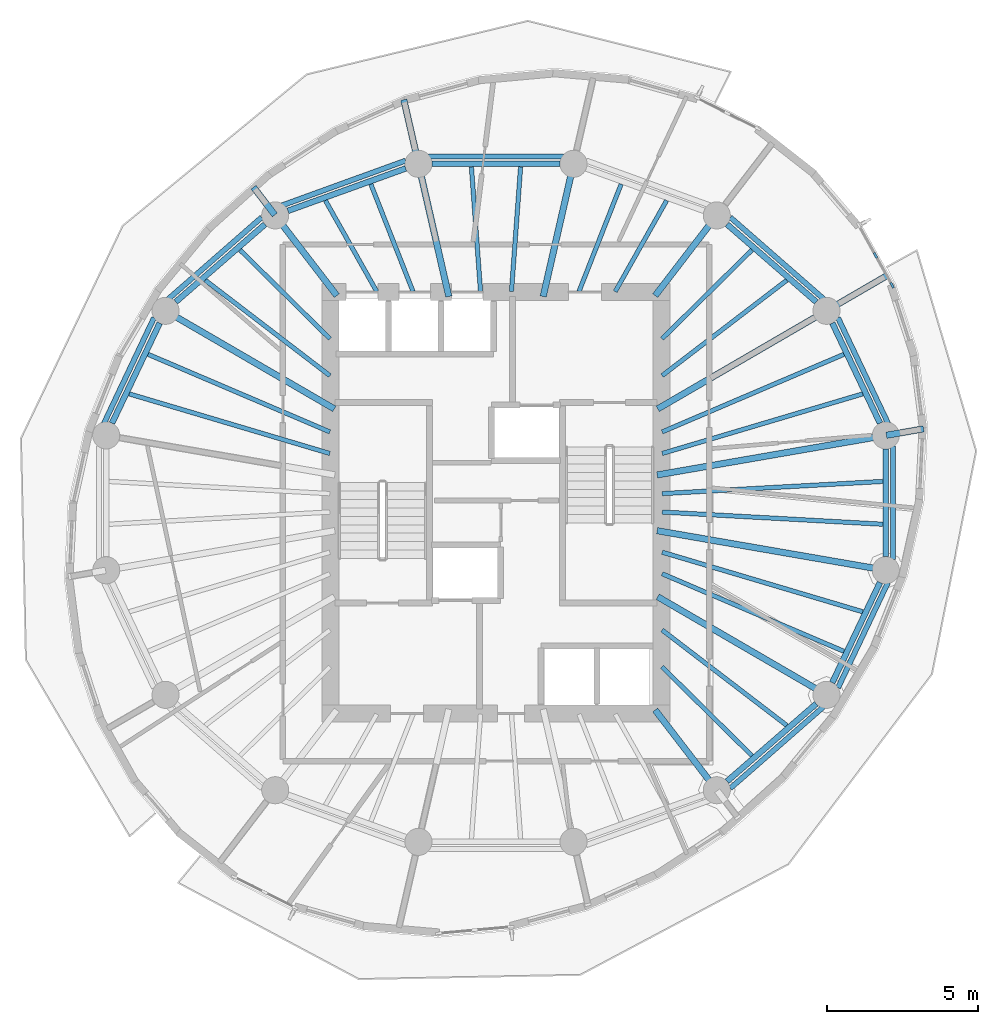
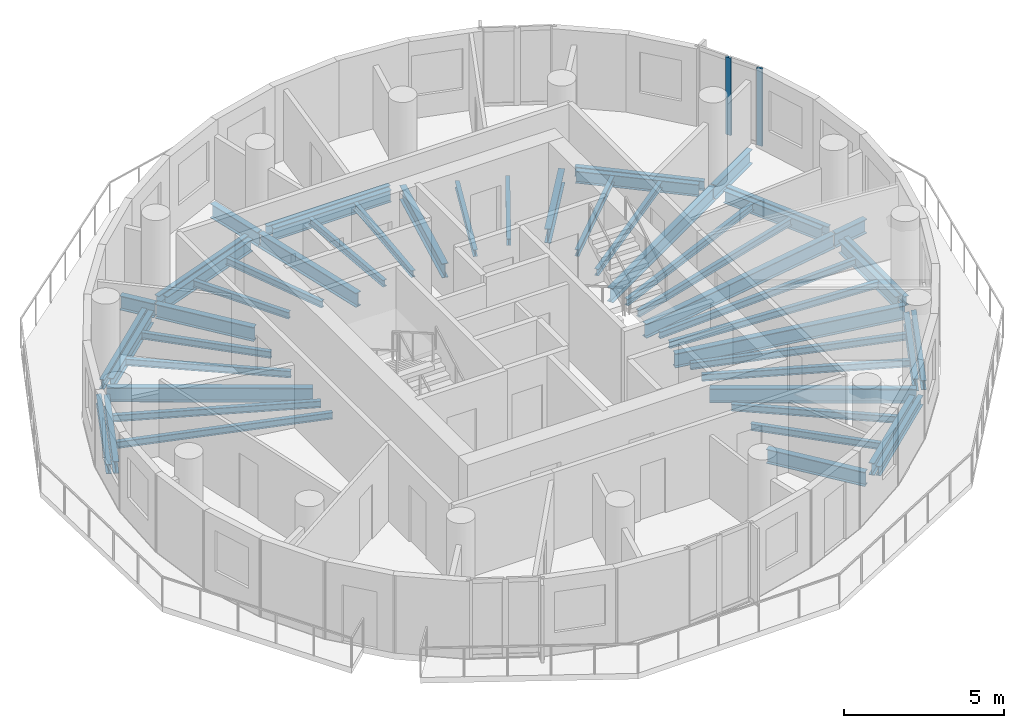
# One storey, part 2 of 10: 52 beams, 2 members, 1 element without a shape of its own.
"""IFC4 building model written with IfcOpenShell, lengths in metres."""

import ifcopenshell
import ifcopenshell.guid

model = None  # the IFC model being written
_history = None  # IfcOwnerHistory: only IFC2X3 demands one
_inside = {}  # id of a spatial element -> (the spatial element, [elements in it])
_under = {}  # id of a project, library or spatial element -> (it, [spatial elements below it])
_declared = {}  # id of a project -> (the project, [libraries it declares])
_typed = {}  # id of a type object -> (the type object, [elements of that type])
_made_of = {}  # id of a material, layer set ... -> (it, [elements and type objects made of it])


def new_model(schema):
    """Start an empty IFC model of exactly this schema.

    Asked for "IFC4X3", IfcOpenShell would pick the latest addendum, in which some entities
    have other attributes; the version numbers below select the first issue.
    IFC2X3 requires an IfcOwnerHistory on every rooted entity: one is made here for all.
    """
    global model, _history
    if schema == "IFC4X3":
        model = ifcopenshell.file(schema_version=(4, 3, 0, 0))
    else:
        model = ifcopenshell.file(schema=schema)
    _inside.clear()
    _under.clear()
    _declared.clear()
    _typed.clear()
    _made_of.clear()
    _history = None
    if model.schema == "IFC2X3":
        org = make("IfcOrganization", Name="unknown")
        user = make(
            "IfcPersonAndOrganization",
            ThePerson=make("IfcPerson", FamilyName="unknown"),
            TheOrganization=org,
        )
        app = make(
            "IfcApplication",
            ApplicationDeveloper=org,
            Version="unknown",
            ApplicationFullName="unknown",
            ApplicationIdentifier="unknown",
        )
        _history = make(
            "IfcOwnerHistory",
            OwningUser=user,
            OwningApplication=app,
            ChangeAction="ADDED",
            CreationDate=0,
        )
    return model


def make(cls, **values):
    """One entity of the class cls with the attributes given. An attribute that is None is left unset."""
    return model.create_entity(
        cls, **{name: value for name, value in values.items() if value is not None}
    )


def rooted(cls, **values):
    """An entity with a GlobalId (a new one), such as an element, a storey or a relation."""
    return make(cls, GlobalId=ifcopenshell.guid.new(), OwnerHistory=_history, **values)


def si_unit(unit_type, name, prefix=None):
    """IfcSIUnit, for example si_unit("LENGTHUNIT", "METRE", prefix="MILLI")."""
    return make("IfcSIUnit", UnitType=unit_type, Prefix=prefix, Name=name)


def assignment(units):
    """IfcUnitAssignment: the units of a project."""
    return None if units is None else make("IfcUnitAssignment", Units=units)


def point(xyz):
    """IfcCartesianPoint."""
    return None if xyz is None else make("IfcCartesianPoint", Coordinates=xyz)


def direction(xyz):
    """IfcDirection."""
    return None if xyz is None else make("IfcDirection", DirectionRatios=xyz)


def frame(location, z_axis=None, x_axis=None):
    """IfcAxis2Placement3D, a coordinate frame: its origin and axes. An axis left out is left unset."""
    return make(
        "IfcAxis2Placement3D",
        Location=point(location),
        Axis=direction(z_axis),
        RefDirection=direction(x_axis),
    )


def frame_2d(location, x_axis=None):
    """IfcAxis2Placement2D, a coordinate frame in the plane: its origin and x axis."""
    return make(
        "IfcAxis2Placement2D", Location=point(location), RefDirection=direction(x_axis)
    )


def origin():
    """The frame at (0, 0, 0) with its axes left unset."""
    return frame((0.0, 0.0, 0.0))


def origin_2d():
    """The frame at (0, 0) in the plane with its x axis left unset."""
    return frame_2d((0.0, 0.0))


def place(relative_to, where):
    """IfcLocalPlacement: puts the frame where relative to a parent placement (None: the world)."""
    return make(
        "IfcLocalPlacement", PlacementRelTo=relative_to, RelativePlacement=where
    )


def context(
    kind, dimensions, precision=None, world=None, true_north=None, identifier=None
):
    """IfcGeometricRepresentationContext, for example the 3D "Model" context."""
    return make(
        "IfcGeometricRepresentationContext",
        ContextIdentifier=identifier,
        ContextType=kind,
        CoordinateSpaceDimension=dimensions,
        Precision=precision,
        WorldCoordinateSystem=world,
        TrueNorth=true_north,
    )


def subcontext(parent, identifier, kind, view, scale=None):
    """IfcGeometricRepresentationSubContext, for example "Body" below "Model"."""
    return make(
        "IfcGeometricRepresentationSubContext",
        ContextIdentifier=identifier,
        ContextType=kind,
        ParentContext=parent,
        TargetScale=scale,
        TargetView=view,
    )


def project(units=None, contexts=None):
    """IfcProject with its units and contexts."""
    return rooted(
        "IfcProject",
        Name="project",
        RepresentationContexts=contexts,
        UnitsInContext=assignment(units),
    )


def spatial(cls, under=None, at=None, **own):
    """A site, building, storey or space (cls), placed at a placement, below another one or the project."""
    s = rooted(cls, ObjectPlacement=at, **own)
    if under is not None:
        _under.setdefault(under.id(), (under, []))[1].append(s)
    return s


def profile(cls, at=None, kind="AREA", **sizes):
    """A parametric profile (cls). Its sizes go by their IFC names, for example OverallWidth=200.0."""
    return make(cls, ProfileType=kind, Position=at, **sizes)


def rectangle(**sizes):
    """IfcRectangleProfileDef."""
    return profile("IfcRectangleProfileDef", **sizes)


def i_section(**sizes):
    """IfcIShapeProfileDef."""
    return profile("IfcIShapeProfileDef", **sizes)


def extrude(swept, where, along, depth):
    """IfcExtrudedAreaSolid: the profile swept, set in the frame where, extruded along a direction by depth."""
    return make(
        "IfcExtrudedAreaSolid",
        SweptArea=swept,
        Position=where,
        ExtrudedDirection=direction(along),
        Depth=depth,
    )


def shape(context_of_items, identifier, shape_type, items):
    """IfcShapeRepresentation: the items that make up one representation, for example the "Body"."""
    return make(
        "IfcShapeRepresentation",
        ContextOfItems=context_of_items,
        RepresentationIdentifier=identifier,
        RepresentationType=shape_type,
        Items=items,
    )


def material(Name=None, Category=None):
    """IfcMaterial."""
    return make("IfcMaterial", Name=Name, Category=Category)


def material_profile(
    of_material, cross_section, Name=None, Category=None, Priority=None
):
    """IfcMaterialProfile: a cross section and its material."""
    return make(
        "IfcMaterialProfile",
        Name=Name,
        Material=of_material,
        Profile=cross_section,
        Priority=Priority,
        Category=Category,
    )


def profile_set(profiles, Name=None, composite=None):
    """IfcMaterialProfileSet."""
    return make(
        "IfcMaterialProfileSet",
        Name=Name,
        MaterialProfiles=profiles,
        CompositeProfile=composite,
    )


def made_of(thing, what):
    """Note that an element or type object is made of a material, layer set ...; save() writes the relation."""
    if what is not None:
        _made_of.setdefault(what.id(), (what, []))[1].append(thing)
    return thing


def type_object(cls, material=None, **own):
    """A type object (cls), such as IfcWallType, which elements share."""
    return made_of(rooted(cls, **own), material)


def element(
    cls,
    number,
    at=None,
    inside=None,
    cuts=None,
    type_object=None,
    material=None,
    context=None,
    identifier="Body",
    shape_type=None,
    held_by="IfcProductDefinitionShape",
    body=None,
    shapes=None,
    **own,
):
    """One element of the class cls, such as IfcWall. Its Tag is "e" and its number.

    at: its placement. inside: the storey or other place that contains it. cuts: it is an
    opening in that element (IfcRelVoidsElement). A single representation is given by context,
    identifier, shape_type and body (its items); several are given by shapes. held_by: the class
    of the entity that holds the representations. save() writes the other relations.
    """
    e = rooted(cls, Tag="e%d" % number, ObjectPlacement=at, **own)
    if body is not None:
        shapes = [shape(context, identifier, shape_type, body)]
    if shapes is not None:
        e.Representation = make(held_by, Representations=shapes)
    if inside is not None:
        _inside.setdefault(inside.id(), (inside, []))[1].append(e)
    if cuts is not None:
        rooted(
            "IfcRelVoidsElement", RelatingBuildingElement=cuts, RelatedOpeningElement=e
        )
    if type_object is not None:
        _typed.setdefault(type_object.id(), (type_object, []))[1].append(e)
    return made_of(e, material)


def aggregate(whole, parts):
    """IfcRelAggregates: a whole, such as a stair, and the parts it consists of."""
    return rooted("IfcRelAggregates", RelatingObject=whole, RelatedObjects=parts)


def save(model, path):
    """Write the relations noted so far, then the file.

    IfcRelAggregates (storeys below a building ...), IfcRelContainedInSpatialStructure (elements
    in a storey), IfcRelDefinesByType, IfcRelAssociatesMaterial and IfcRelDeclares: one each for
    every whole, place, type object, material and project.
    """
    for whole, parts in _under.values():
        aggregate(whole, parts)
    for where, things in _inside.values():
        rooted(
            "IfcRelContainedInSpatialStructure",
            RelatedElements=things,
            RelatingStructure=where,
        )
    for kind, things in _typed.values():
        rooted("IfcRelDefinesByType", RelatedObjects=things, RelatingType=kind)
    for what, things in _made_of.values():
        rooted("IfcRelAssociatesMaterial", RelatedObjects=things, RelatingMaterial=what)
    for by, libraries in _declared.values():
        rooted("IfcRelDeclares", RelatingContext=by, RelatedDefinitions=libraries)
    model.write(path)


model = new_model("IFC4")

# Units and contexts
model_context = context("Model", 3, precision=1e-05, world=origin(), true_north=direction((0.0, 1.0)))
body_context = subcontext(model_context, "Body", "Model", "MODEL_VIEW")
ifc_project = project(units=[si_unit("LENGTHUNIT", "METRE"), si_unit("AREAUNIT", "SQUARE_METRE"), si_unit("VOLUMEUNIT", "CUBIC_METRE"), si_unit("PLANEANGLEUNIT", "RADIAN"), si_unit("MASSUNIT", "GRAM", prefix="KILO")], contexts=[model_context])

# Site, building, storey
site_placement = place(None, origin())
site = spatial("IfcSite", under=ifc_project, at=site_placement, CompositionType="ELEMENT")
building_placement = place(site_placement, origin())
building = spatial("IfcBuilding", under=site, at=building_placement, Name="Veldorim Arch Residences", CompositionType="ELEMENT")
storey_placement = place(building_placement, frame((0.0, 0.0, 188.639892578125)))
storey = spatial("IfcBuildingStorey", under=building, at=storey_placement, Name="L56", CompositionType="ELEMENT", Elevation=188.639892578125)

# Beams
ifc_material_1 = material(Name="Steel S355", Category="steel")
ifc_material_profile_1 = material_profile(ifc_material_1, i_section(OverallWidth=0.2119140625, OverallDepth=0.54443359375, WebThickness=0.0126953125, FlangeThickness=0.021240234375, at=origin_2d()), Name="UB533x210x122")
ifc_profile_set_1 = profile_set([ifc_material_profile_1], Name="Steel S355")
beam_type_1 = type_object("IfcBeamType", Name="Structural Steel Beam UB533x210x122", PredefinedType="BEAM", material=ifc_profile_set_1)
beam_1_placement = place(storey_placement, frame((37.352294921875, 24.92578125, -0.51220703125), z_axis=(0.985364974081, 0.170457818401, 0.0), x_axis=(-0.170457818401, 0.985364974081, 0.0)))
element("IfcBeam", 1, at=beam_1_placement, inside=storey, type_object=beam_type_1, Name="L56 radial floor girder 01", PredefinedType="BEAM", context=body_context, shape_type="SweptSolid", body=[
    extrude(i_section(OverallWidth=0.2119140625, OverallDepth=0.54443359375, WebThickness=0.0126953125, FlangeThickness=0.021240234375, at=origin_2d()), origin(), (0.0, 0.0, 1.0), 7.68701171875),
])
beam_2_placement = place(storey_placement, frame((44.966064453125, 26.242919921875, -0.51220703125), z_axis=(0.985353024945, 0.170526878328, 0.0), x_axis=(-0.170526878328, 0.985353024945, 0.0)))
element("IfcBeam", 2, at=beam_2_placement, inside=storey, type_object=beam_type_1, Name="L56 radial edge cantilever girder 01", PredefinedType="BEAM", context=body_context, shape_type="SweptSolid", body=[
    extrude(i_section(OverallWidth=0.2119140625, OverallDepth=0.54443359375, WebThickness=0.0126953125, FlangeThickness=0.021240234375, at=origin_2d()), origin(), (0.0, 0.0, 1.0), 1.252685546875),
])
beam_3_placement = place(storey_placement, frame((37.370361328125, 27.12060546875, -0.51220703125), z_axis=(0.864595736304, 0.502468121142, 0.0), x_axis=(-0.502468121142, 0.864595736304, 0.0)))
element("IfcBeam", 3, at=beam_3_placement, inside=storey, type_object=beam_type_1, Name="L56 radial floor girder 02", PredefinedType="BEAM", context=body_context, shape_type="SweptSolid", body=[
    extrude(i_section(OverallWidth=0.2119140625, OverallDepth=0.54443359375, WebThickness=0.0126953125, FlangeThickness=0.021240234375, at=origin_2d()), origin(), (0.0, 0.0, 1.0), 6.462646484375),
])
beam_4_placement = place(storey_placement, frame((42.99267578125, 30.387939453125, -0.51220703125), z_axis=(0.864602055373, 0.502457247779, 0.0), x_axis=(-0.502457247779, 0.864602055373, 0.0)))
element("IfcBeam", 4, at=beam_4_placement, inside=storey, type_object=beam_type_1, Name="L56 radial edge cantilever girder 02", PredefinedType="BEAM", context=body_context, shape_type="SweptSolid", body=[
    extrude(i_section(OverallWidth=0.2119140625, OverallDepth=0.54443359375, WebThickness=0.0126953125, FlangeThickness=0.021240234375, at=origin_2d()), origin(), (0.0, 0.0, 1.0), 2.2880859375),
])
beam_5_placement = place(storey_placement, frame((37.28662109375, 30.881103515625, -0.51220703125), z_axis=(0.609258442308, 0.792971721108, 0.0), x_axis=(-0.792971721108, 0.609258442308, 0.0)))
element("IfcBeam", 5, at=beam_5_placement, inside=storey, type_object=beam_type_1, Name="L56 radial floor girder 03", PredefinedType="BEAM", context=body_context, shape_type="SweptSolid", body=[
    extrude(i_section(OverallWidth=0.2119140625, OverallDepth=0.54443359375, WebThickness=0.0126953125, FlangeThickness=0.021240234375, at=origin_2d()), origin(), (0.0, 0.0, 1.0), 3.339599609375),
])
for number, where, z_axis, x_axis, name in (
    (6, (33.567626953125, 30.853759765625, -0.51220703125), (0.222952976993, 0.97482920045, 0.0), (-0.97482920045, 0.222952976993, 0.0), "L56 radial floor girder 04"),
    (7, (30.432373046875, 30.853759765625, -0.51220703125), (-0.222952976993, 0.97482920045, 0.0), (-0.97482920045, -0.222952976993, 0.0), "L56 radial floor girder 05"),
):
    element("IfcBeam", number, at=place(storey_placement, frame(where, z_axis=z_axis, x_axis=x_axis)), inside=storey, type_object=beam_type_1, Name=name, PredefinedType="BEAM", context=body_context, shape_type="SweptSolid", body=[
        extrude(i_section(OverallWidth=0.2119140625, OverallDepth=0.54443359375, WebThickness=0.0126953125, FlangeThickness=0.021240234375, at=origin_2d()), origin(), (0.0, 0.0, 1.0), 4.49951171875),
    ])
beam_6_placement = place(storey_placement, frame((29.42041015625, 35.27880859375, -0.51220703125), z_axis=(-0.222947343298, 0.974830488914, 0.0), x_axis=(-0.974830488914, -0.222947343298, 0.0)))
element("IfcBeam", 8, at=beam_6_placement, inside=storey, type_object=beam_type_1, Name="L56 radial edge cantilever girder 05", PredefinedType="BEAM", context=body_context, shape_type="SweptSolid", body=[
    extrude(i_section(OverallWidth=0.2119140625, OverallDepth=0.54443359375, WebThickness=0.0126953125, FlangeThickness=0.021240234375, at=origin_2d()), origin(), (0.0, 0.0, 1.0), 2.163818359375),
])
beam_7_placement = place(storey_placement, frame((26.71337890625, 30.881103515625, -0.51220703125), z_axis=(-0.609258442308, 0.792971721108, 0.0), x_axis=(-0.792971721108, -0.609258442308, 0.0)))
element("IfcBeam", 9, at=beam_7_placement, inside=storey, type_object=beam_type_1, Name="L56 radial floor girder 06", PredefinedType="BEAM", context=body_context, shape_type="SweptSolid", body=[
    extrude(i_section(OverallWidth=0.2119140625, OverallDepth=0.54443359375, WebThickness=0.0126953125, FlangeThickness=0.021240234375, at=origin_2d()), origin(), (0.0, 0.0, 1.0), 3.339599609375),
])
beam_8_placement = place(storey_placement, frame((24.654296875, 33.561279296875, -0.51220703125), z_axis=(-0.609203031705, 0.793014291272, 0.0), x_axis=(-0.793014291272, -0.609203031705, 0.0)))
element("IfcBeam", 10, at=beam_8_placement, inside=storey, type_object=beam_type_1, Name="L56 radial edge cantilever girder 06", PredefinedType="BEAM", context=body_context, shape_type="SweptSolid", body=[
    extrude(i_section(OverallWidth=0.2119140625, OverallDepth=0.54443359375, WebThickness=0.0126953125, FlangeThickness=0.021240234375, at=origin_2d()), origin(), (0.0, 0.0, 1.0), 1.162109375),
])
beam_9_placement = place(storey_placement, frame((26.629638671875, 27.12060546875, -0.51220703125), z_axis=(-0.864595736304, 0.502468121142, 0.0), x_axis=(-0.502468121142, -0.864595736304, 0.0)))
element("IfcBeam", 11, at=beam_9_placement, inside=storey, type_object=beam_type_1, Name="L56 radial floor girder 07", PredefinedType="BEAM", context=body_context, shape_type="SweptSolid", body=[
    extrude(i_section(OverallWidth=0.2119140625, OverallDepth=0.54443359375, WebThickness=0.0126953125, FlangeThickness=0.021240234375, at=origin_2d()), origin(), (0.0, 0.0, 1.0), 6.462646484375),
])
beam_10_placement = place(storey_placement, frame((37.28662109375, 17.118896484375, -0.51220703125), z_axis=(0.609258442308, -0.792971721108, 0.0), x_axis=(0.792971721108, 0.609258442308, 0.0)))
element("IfcBeam", 12, at=beam_10_placement, inside=storey, type_object=beam_type_1, Name="L56 radial floor girder 14", PredefinedType="BEAM", context=body_context, shape_type="SweptSolid", body=[
    extrude(i_section(OverallWidth=0.2119140625, OverallDepth=0.54443359375, WebThickness=0.0126953125, FlangeThickness=0.021240234375, at=origin_2d()), origin(), (0.0, 0.0, 1.0), 3.339599609375),
])
beam_11_placement = place(storey_placement, frame((37.370361328125, 20.87939453125, -0.51220703125), z_axis=(0.864595736304, -0.502468121142, 0.0), x_axis=(0.502468121142, 0.864595736304, 0.0)))
element("IfcBeam", 13, at=beam_11_placement, inside=storey, type_object=beam_type_1, Name="L56 radial floor girder 15", PredefinedType="BEAM", context=body_context, shape_type="SweptSolid", body=[
    extrude(i_section(OverallWidth=0.2119140625, OverallDepth=0.54443359375, WebThickness=0.0126953125, FlangeThickness=0.021240234375, at=origin_2d()), origin(), (0.0, 0.0, 1.0), 6.462646484375),
])
beam_12_placement = place(storey_placement, frame((37.352294921875, 23.07421875, -0.51220703125), z_axis=(0.985364974081, -0.170457818401, 0.0), x_axis=(0.170457818401, 0.985364974081, 0.0)))
element("IfcBeam", 14, at=beam_12_placement, inside=storey, type_object=beam_type_1, Name="L56 radial floor girder 16", PredefinedType="BEAM", context=body_context, shape_type="SweptSolid", body=[
    extrude(i_section(OverallWidth=0.2119140625, OverallDepth=0.54443359375, WebThickness=0.0126953125, FlangeThickness=0.021240234375, at=origin_2d()), origin(), (0.0, 0.0, 1.0), 7.68701171875),
])
ifc_material_2 = material(Name="Steel S355", Category="steel")
ifc_material_profile_2 = material_profile(ifc_material_2, i_section(OverallWidth=0.146484375, OverallDepth=0.256103515625, WebThickness=0.00634765625, FlangeThickness=0.010986328125, at=origin_2d()), Name="UB254x146x37")
ifc_profile_set_2 = profile_set([ifc_material_profile_2], Name="Steel S355")
beam_type_2 = type_object("IfcBeamType", Name="Structural Steel Joist UB254x146x37", PredefinedType="JOIST", material=ifc_profile_set_2)
beam_13_placement = place(storey_placement, frame((37.519287109375, 25.639404296875, -0.367919921875), z_axis=(0.958594432792, 0.284774846889, 0.0), x_axis=(-0.284774846889, 0.958594432792, 0.0)))
element("IfcBeam", 15, at=beam_13_placement, inside=storey, type_object=beam_type_2, Name="L56 secondary radial floor joist 01-1", PredefinedType="JOIST", context=body_context, shape_type="SweptSolid", body=[
    extrude(i_section(OverallWidth=0.146484375, OverallDepth=0.256103515625, WebThickness=0.00634765625, FlangeThickness=0.010986328125, at=origin_2d()), origin(), (0.0, 0.0, 1.0), 6.949462890625),
])
beam_14_placement = place(storey_placement, frame((37.518310546875, 26.355712890625, -0.367919921875), z_axis=(0.919725161652, 0.392562895629, 0.0), x_axis=(-0.392562895629, 0.919725161652, 0.0)))
element("IfcBeam", 16, at=beam_14_placement, inside=storey, type_object=beam_type_2, Name="L56 secondary radial floor joist 01-2", PredefinedType="JOIST", context=body_context, shape_type="SweptSolid", body=[
    extrude(i_section(OverallWidth=0.146484375, OverallDepth=0.256103515625, WebThickness=0.00634765625, FlangeThickness=0.010986328125, at=origin_2d()), origin(), (0.0, 0.0, 1.0), 6.5625),
])
beam_15_placement = place(storey_placement, frame((37.515869140625, 28.222900390625, -0.367919921875), z_axis=(0.794013672216, 0.607899899929, 0.0), x_axis=(-0.607899899929, 0.794013672216, 0.0)))
element("IfcBeam", 17, at=beam_15_placement, inside=storey, type_object=beam_type_2, Name="L56 secondary radial floor joist 02-1", PredefinedType="JOIST", context=body_context, shape_type="SweptSolid", body=[
    extrude(i_section(OverallWidth=0.146484375, OverallDepth=0.256103515625, WebThickness=0.00634765625, FlangeThickness=0.010986328125, at=origin_2d()), origin(), (0.0, 0.0, 1.0), 5.217041015625),
])
beam_16_placement = place(storey_placement, frame((37.51416015625, 29.44775390625, -0.367919921875), z_axis=(0.711396725432, 0.702790650937, 0.0), x_axis=(-0.702790650937, 0.711396725432, 0.0)))
element("IfcBeam", 18, at=beam_16_placement, inside=storey, type_object=beam_type_2, Name="L56 secondary radial floor joist 02-2", PredefinedType="JOIST", context=body_context, shape_type="SweptSolid", body=[
    extrude(i_section(OverallWidth=0.146484375, OverallDepth=0.256103515625, WebThickness=0.00634765625, FlangeThickness=0.010986328125, at=origin_2d()), origin(), (0.0, 0.0, 1.0), 4.198486328125),
])
beam_17_placement = place(storey_placement, frame((35.960205078125, 31.017333984375, -0.367919921875), z_axis=(0.491452469585, 0.870904397818, 0.0), x_axis=(-0.870904397818, 0.491452469585, 0.0)))
element("IfcBeam", 19, at=beam_17_placement, inside=storey, type_object=beam_type_2, Name="L56 secondary radial floor joist 03-1", PredefinedType="JOIST", context=body_context, shape_type="SweptSolid", body=[
    extrude(i_section(OverallWidth=0.146484375, OverallDepth=0.256103515625, WebThickness=0.00634765625, FlangeThickness=0.010986328125, at=origin_2d()), origin(), (0.0, 0.0, 1.0), 3.472412109375),
])
beam_18_placement = place(storey_placement, frame((34.75634765625, 31.0185546875, -0.367919921875), z_axis=(0.365581383042, 0.930779379001, 0.0), x_axis=(-0.930779379001, 0.365581383042, 0.0)))
element("IfcBeam", 20, at=beam_18_placement, inside=storey, type_object=beam_type_2, Name="L56 secondary radial floor joist 03-2", PredefinedType="JOIST", context=body_context, shape_type="SweptSolid", body=[
    extrude(i_section(OverallWidth=0.146484375, OverallDepth=0.256103515625, WebThickness=0.00634765625, FlangeThickness=0.010986328125, at=origin_2d()), origin(), (0.0, 0.0, 1.0), 3.83056640625),
])
for number, where, z_axis, x_axis, name in (
    (21, (32.513916015625, 31.02001953125, -0.367919921875), (0.072985625899, 0.997332992742, 0.0), (-0.997332992742, 0.072985625899, 0.0), "L56 secondary radial floor joist 04-1"),
    (22, (31.486083984375, 31.02001953125, -0.367919921875), (-0.072985625899, 0.997332992742, 0.0), (-0.997332992742, -0.072985625899, 0.0), "L56 secondary radial floor joist 04-2"),
):
    element("IfcBeam", number, at=place(storey_placement, frame(where, z_axis=z_axis, x_axis=x_axis)), inside=storey, type_object=beam_type_2, Name=name, PredefinedType="JOIST", context=body_context, shape_type="SweptSolid", body=[
        extrude(i_section(OverallWidth=0.146484375, OverallDepth=0.256103515625, WebThickness=0.00634765625, FlangeThickness=0.010986328125, at=origin_2d()), origin(), (0.0, 0.0, 1.0), 4.151123046875),
    ])
beam_19_placement = place(storey_placement, frame((29.24365234375, 31.0185546875, -0.367919921875), z_axis=(-0.365581383042, 0.930779379001, 0.0), x_axis=(-0.930779379001, -0.365581383042, 0.0)))
element("IfcBeam", 23, at=beam_19_placement, inside=storey, type_object=beam_type_2, Name="L56 secondary radial floor joist 05-1", PredefinedType="JOIST", context=body_context, shape_type="SweptSolid", body=[
    extrude(i_section(OverallWidth=0.146484375, OverallDepth=0.256103515625, WebThickness=0.00634765625, FlangeThickness=0.010986328125, at=origin_2d()), origin(), (0.0, 0.0, 1.0), 3.83056640625),
])
beam_20_placement = place(storey_placement, frame((28.039794921875, 31.017333984375, -0.367919921875), z_axis=(-0.491452469585, 0.870904397818, 0.0), x_axis=(-0.870904397818, -0.491452469585, 0.0)))
element("IfcBeam", 24, at=beam_20_placement, inside=storey, type_object=beam_type_2, Name="L56 secondary radial floor joist 05-2", PredefinedType="JOIST", context=body_context, shape_type="SweptSolid", body=[
    extrude(i_section(OverallWidth=0.146484375, OverallDepth=0.256103515625, WebThickness=0.00634765625, FlangeThickness=0.010986328125, at=origin_2d()), origin(), (0.0, 0.0, 1.0), 3.472412109375),
])
beam_21_placement = place(storey_placement, frame((26.48583984375, 29.44775390625, -0.367919921875), z_axis=(-0.711396725432, 0.702790650937, 0.0), x_axis=(-0.702790650937, -0.711396725432, 0.0)))
element("IfcBeam", 25, at=beam_21_placement, inside=storey, type_object=beam_type_2, Name="L56 secondary radial floor joist 06-1", PredefinedType="JOIST", context=body_context, shape_type="SweptSolid", body=[
    extrude(i_section(OverallWidth=0.146484375, OverallDepth=0.256103515625, WebThickness=0.00634765625, FlangeThickness=0.010986328125, at=origin_2d()), origin(), (0.0, 0.0, 1.0), 4.198486328125),
])
beam_22_placement = place(storey_placement, frame((26.484130859375, 28.222900390625, -0.367919921875), z_axis=(-0.794013672216, 0.607899899929, 0.0), x_axis=(-0.607899899929, -0.794013672216, 0.0)))
element("IfcBeam", 26, at=beam_22_placement, inside=storey, type_object=beam_type_2, Name="L56 secondary radial floor joist 06-2", PredefinedType="JOIST", context=body_context, shape_type="SweptSolid", body=[
    extrude(i_section(OverallWidth=0.146484375, OverallDepth=0.256103515625, WebThickness=0.00634765625, FlangeThickness=0.010986328125, at=origin_2d()), origin(), (0.0, 0.0, 1.0), 5.217041015625),
])
beam_23_placement = place(storey_placement, frame((26.481689453125, 26.355712890625, -0.367919921875), z_axis=(-0.919725161652, 0.392562895629, 0.0), x_axis=(-0.392562895629, -0.919725161652, 0.0)))
element("IfcBeam", 27, at=beam_23_placement, inside=storey, type_object=beam_type_2, Name="L56 secondary radial floor joist 07-1", PredefinedType="JOIST", context=body_context, shape_type="SweptSolid", body=[
    extrude(i_section(OverallWidth=0.146484375, OverallDepth=0.256103515625, WebThickness=0.00634765625, FlangeThickness=0.010986328125, at=origin_2d()), origin(), (0.0, 0.0, 1.0), 6.5625),
])
beam_24_placement = place(storey_placement, frame((26.480712890625, 25.639404296875, -0.367919921875), z_axis=(-0.958594432792, 0.284774846889, 0.0), x_axis=(-0.284774846889, -0.958594432792, 0.0)))
element("IfcBeam", 28, at=beam_24_placement, inside=storey, type_object=beam_type_2, Name="L56 secondary radial floor joist 07-2", PredefinedType="JOIST", context=body_context, shape_type="SweptSolid", body=[
    extrude(i_section(OverallWidth=0.146484375, OverallDepth=0.256103515625, WebThickness=0.00634765625, FlangeThickness=0.010986328125, at=origin_2d()), origin(), (0.0, 0.0, 1.0), 6.949462890625),
])
beam_25_placement = place(storey_placement, frame((37.51416015625, 18.55224609375, -0.367919921875), z_axis=(0.711396725432, -0.702790650937, 0.0), x_axis=(0.702790650937, 0.711396725432, 0.0)))
element("IfcBeam", 29, at=beam_25_placement, inside=storey, type_object=beam_type_2, Name="L56 secondary radial floor joist 14-1", PredefinedType="JOIST", context=body_context, shape_type="SweptSolid", body=[
    extrude(i_section(OverallWidth=0.146484375, OverallDepth=0.256103515625, WebThickness=0.00634765625, FlangeThickness=0.010986328125, at=origin_2d()), origin(), (0.0, 0.0, 1.0), 4.198486328125),
])
beam_26_placement = place(storey_placement, frame((37.515869140625, 19.777099609375, -0.367919921875), z_axis=(0.794013672216, -0.607899899929, 0.0), x_axis=(0.607899899929, 0.794013672216, 0.0)))
element("IfcBeam", 30, at=beam_26_placement, inside=storey, type_object=beam_type_2, Name="L56 secondary radial floor joist 14-2", PredefinedType="JOIST", context=body_context, shape_type="SweptSolid", body=[
    extrude(i_section(OverallWidth=0.146484375, OverallDepth=0.256103515625, WebThickness=0.00634765625, FlangeThickness=0.010986328125, at=origin_2d()), origin(), (0.0, 0.0, 1.0), 5.217041015625),
])
beam_27_placement = place(storey_placement, frame((37.518310546875, 21.644287109375, -0.367919921875), z_axis=(0.919725161652, -0.392562895629, 0.0), x_axis=(0.392562895629, 0.919725161652, 0.0)))
element("IfcBeam", 31, at=beam_27_placement, inside=storey, type_object=beam_type_2, Name="L56 secondary radial floor joist 15-1", PredefinedType="JOIST", context=body_context, shape_type="SweptSolid", body=[
    extrude(i_section(OverallWidth=0.146484375, OverallDepth=0.256103515625, WebThickness=0.00634765625, FlangeThickness=0.010986328125, at=origin_2d()), origin(), (0.0, 0.0, 1.0), 6.5625),
])
beam_28_placement = place(storey_placement, frame((37.519287109375, 22.360595703125, -0.367919921875), z_axis=(0.958594432792, -0.284774846889, 0.0), x_axis=(0.284774846889, 0.958594432792, 0.0)))
element("IfcBeam", 32, at=beam_28_placement, inside=storey, type_object=beam_type_2, Name="L56 secondary radial floor joist 15-2", PredefinedType="JOIST", context=body_context, shape_type="SweptSolid", body=[
    extrude(i_section(OverallWidth=0.146484375, OverallDepth=0.256103515625, WebThickness=0.00634765625, FlangeThickness=0.010986328125, at=origin_2d()), origin(), (0.0, 0.0, 1.0), 6.949462890625),
])
for number, where, z_axis, x_axis, name in (
    (33, (37.52001953125, 23.6943359375, -0.367919921875), (0.998472000884, -0.055259962464, 0.0), (0.055259962464, 0.998472000884, 0.0), "L56 secondary radial floor joist 16-1"),
    (34, (37.52001953125, 24.3056640625, -0.367919921875), (0.998472000884, 0.055259962464, 0.0), (-0.055259962464, 0.998472000884, 0.0), "L56 secondary radial floor joist 16-2"),
):
    element("IfcBeam", number, at=place(storey_placement, frame(where, z_axis=z_axis, x_axis=x_axis)), inside=storey, type_object=beam_type_2, Name=name, PredefinedType="JOIST", context=body_context, shape_type="SweptSolid", body=[
        extrude(i_section(OverallWidth=0.146484375, OverallDepth=0.256103515625, WebThickness=0.00634765625, FlangeThickness=0.010986328125, at=origin_2d()), origin(), (0.0, 0.0, 1.0), 7.33837890625),
    ])
ifc_material_3 = material(Name="Steel S355", Category="steel")
ifc_material_profile_3 = material_profile(ifc_material_3, i_section(OverallWidth=0.172119140625, OverallDepth=0.35791015625, WebThickness=0.008056640625, FlangeThickness=0.012939453125, at=origin_2d()), Name="UB356x171x57")
ifc_profile_set_3 = profile_set([ifc_material_profile_3], Name="Steel S355")
beam_type_3 = type_object("IfcBeamType", Name="Structural Steel Spandrel UB356x171x57", PredefinedType="SPANDREL", material=ifc_profile_set_3)
beam_29_placement = place(storey_placement, frame((45.0205078125, 26.6396484375, -0.43896484375), z_axis=(-0.428408308939, 0.903585259304, 0.0), x_axis=(-0.903585259304, -0.428408308939, 0.0)))
element("IfcBeam", 35, at=beam_29_placement, inside=storey, type_object=beam_type_3, Name="L56 perimeter chord spandrel beam 01", PredefinedType="SPANDREL", context=body_context, shape_type="SweptSolid", body=[
    extrude(i_section(OverallWidth=0.172119140625, OverallDepth=0.35791015625, WebThickness=0.008056640625, FlangeThickness=0.012939453125, at=origin_2d()), origin(), (0.0, 0.0, 1.0), 3.878662109375),
])
beam_30_placement = place(storey_placement, frame((42.891357421875, 30.762939453125, -0.43896484375), z_axis=(-0.752847646119, 0.6581948205, 0.0), x_axis=(-0.6581948205, -0.752847646119, 0.0)))
element("IfcBeam", 36, at=beam_30_placement, inside=storey, type_object=beam_type_3, Name="L56 perimeter chord spandrel beam 02", PredefinedType="SPANDREL", context=body_context, shape_type="SweptSolid", body=[
    extrude(i_section(OverallWidth=0.172119140625, OverallDepth=0.35791015625, WebThickness=0.008056640625, FlangeThickness=0.012939453125, at=origin_2d()), origin(), (0.0, 0.0, 1.0), 4.12939453125),
])
beam_31_placement = place(storey_placement, frame((34.234375, 35.500732421875, -0.43896484375), z_axis=(-1.0, 0.0, 0.0), x_axis=(0.0, -1.0, 0.0)))
element("IfcBeam", 37, at=beam_31_placement, inside=storey, type_object=beam_type_3, Name="L56 perimeter chord spandrel beam 04", PredefinedType="SPANDREL", context=body_context, shape_type="SweptSolid", body=[
    extrude(i_section(OverallWidth=0.172119140625, OverallDepth=0.35791015625, WebThickness=0.008056640625, FlangeThickness=0.012939453125, at=origin_2d()), origin(), (0.0, 0.0, 1.0), 4.46875),
])
beam_32_placement = place(storey_placement, frame((28.997314453125, 35.36572265625, -0.43896484375), z_axis=(-0.940164695555, -0.340720332871, 0.0), x_axis=(0.340720332871, -0.940164695555, 0.0)))
element("IfcBeam", 38, at=beam_32_placement, inside=storey, type_object=beam_type_3, Name="L56 perimeter chord spandrel beam 05", PredefinedType="SPANDREL", context=body_context, shape_type="SweptSolid", body=[
    extrude(i_section(OverallWidth=0.172119140625, OverallDepth=0.35791015625, WebThickness=0.008056640625, FlangeThickness=0.012939453125, at=origin_2d()), origin(), (0.0, 0.0, 1.0), 4.370849609375),
])
beam_33_placement = place(storey_placement, frame((24.217529296875, 33.48095703125, -0.43896484375), z_axis=(-0.752847646119, -0.6581948205, 0.0), x_axis=(0.6581948205, -0.752847646119, 0.0)))
element("IfcBeam", 39, at=beam_33_placement, inside=storey, type_object=beam_type_3, Name="L56 perimeter chord spandrel beam 06", PredefinedType="SPANDREL", context=body_context, shape_type="SweptSolid", body=[
    extrude(i_section(OverallWidth=0.172119140625, OverallDepth=0.35791015625, WebThickness=0.008056640625, FlangeThickness=0.012939453125, at=origin_2d()), origin(), (0.0, 0.0, 1.0), 4.12939453125),
])
beam_34_placement = place(storey_placement, frame((20.64111328125, 30.144287109375, -0.43896484375), z_axis=(-0.428408308939, -0.903585259304, 0.0), x_axis=(0.903585259304, -0.428408308939, 0.0)))
element("IfcBeam", 40, at=beam_34_placement, inside=storey, type_object=beam_type_3, Name="L56 perimeter chord spandrel beam 07", PredefinedType="SPANDREL", context=body_context, shape_type="SweptSolid", body=[
    extrude(i_section(OverallWidth=0.172119140625, OverallDepth=0.35791015625, WebThickness=0.008056640625, FlangeThickness=0.012939453125, at=origin_2d()), origin(), (0.0, 0.0, 1.0), 3.878662109375),
])
beam_35_placement = place(storey_placement, frame((39.782470703125, 14.51904296875, -0.43896484375), z_axis=(0.752847646119, 0.6581948205, 0.0), x_axis=(-0.6581948205, 0.752847646119, 0.0)))
element("IfcBeam", 41, at=beam_35_placement, inside=storey, type_object=beam_type_3, Name="L56 perimeter chord spandrel beam 14", PredefinedType="SPANDREL", context=body_context, shape_type="SweptSolid", body=[
    extrude(i_section(OverallWidth=0.172119140625, OverallDepth=0.35791015625, WebThickness=0.008056640625, FlangeThickness=0.012939453125, at=origin_2d()), origin(), (0.0, 0.0, 1.0), 4.12939453125),
])
beam_36_placement = place(storey_placement, frame((43.35888671875, 17.855712890625, -0.43896484375), z_axis=(0.428408308939, 0.903585259304, 0.0), x_axis=(-0.903585259304, 0.428408308939, 0.0)))
element("IfcBeam", 42, at=beam_36_placement, inside=storey, type_object=beam_type_3, Name="L56 perimeter chord spandrel beam 15", PredefinedType="SPANDREL", context=body_context, shape_type="SweptSolid", body=[
    extrude(i_section(OverallWidth=0.172119140625, OverallDepth=0.35791015625, WebThickness=0.008056640625, FlangeThickness=0.012939453125, at=origin_2d()), origin(), (0.0, 0.0, 1.0), 3.878662109375),
])
beam_37_placement = place(storey_placement, frame((45.190185546875, 22.1142578125, -0.43896484375), z_axis=(0.0, 1.0, 0.0), x_axis=(-1.0, 0.0, 0.0)))
element("IfcBeam", 43, at=beam_37_placement, inside=storey, type_object=beam_type_3, Name="L56 perimeter chord spandrel beam 16", PredefinedType="SPANDREL", context=body_context, shape_type="SweptSolid", body=[
    extrude(i_section(OverallWidth=0.172119140625, OverallDepth=0.35791015625, WebThickness=0.008056640625, FlangeThickness=0.012939453125, at=origin_2d()), origin(), (0.0, 0.0, 1.0), 3.771484375),
])
ifc_material_4 = material(Name="Steel S355", Category="steel")
ifc_material_profile_4 = material_profile(ifc_material_4, i_section(OverallWidth=0.19140625, OverallDepth=0.4599609375, WebThickness=0.010009765625, FlangeThickness=0.01611328125, at=origin_2d()), Name="UB457x191x82")
ifc_profile_set_4 = profile_set([ifc_material_profile_4], Name="Steel S355")
beam_type_4 = type_object("IfcBeamType", Name="Structural Steel Spandrel UB457x191x82", PredefinedType="SPANDREL", material=ifc_profile_set_4)
beam_38_placement = place(storey_placement, frame((44.7529296875, 26.64599609375, -0.469970703125), z_axis=(-0.430005613988, 0.902826213586, 0.0), x_axis=(-0.902826213586, -0.430005613988, 0.0)))
element("IfcBeam", 44, at=beam_38_placement, inside=storey, type_object=beam_type_4, Name="L56 perimeter ring tie beam 01", PredefinedType="SPANDREL", context=body_context, shape_type="SweptSolid", body=[
    extrude(i_section(OverallWidth=0.19140625, OverallDepth=0.4599609375, WebThickness=0.010009765625, FlangeThickness=0.01611328125, at=origin_2d()), origin(), (0.0, 0.0, 1.0), 3.68359375),
])
beam_39_placement = place(storey_placement, frame((42.635986328125, 30.673095703125, -0.469970703125), z_axis=(-0.754545285701, 0.656247980436, 0.0), x_axis=(-0.656247980436, -0.754545285701, 0.0)))
element("IfcBeam", 45, at=beam_39_placement, inside=storey, type_object=beam_type_4, Name="L56 perimeter ring tie beam 02", PredefinedType="SPANDREL", context=body_context, shape_type="SweptSolid", body=[
    extrude(i_section(OverallWidth=0.19140625, OverallDepth=0.4599609375, WebThickness=0.010009765625, FlangeThickness=0.01611328125, at=origin_2d()), origin(), (0.0, 0.0, 1.0), 3.9267578125),
])
beam_40_placement = place(storey_placement, frame((34.125244140625, 35.259521484375, -0.469970703125), z_axis=(-1.0, 0.0, 0.0), x_axis=(0.0, -1.0, 0.0)))
element("IfcBeam", 46, at=beam_40_placement, inside=storey, type_object=beam_type_4, Name="L56 perimeter ring tie beam 04", PredefinedType="SPANDREL", context=body_context, shape_type="SweptSolid", body=[
    extrude(i_section(OverallWidth=0.19140625, OverallDepth=0.4599609375, WebThickness=0.010009765625, FlangeThickness=0.01611328125, at=origin_2d()), origin(), (0.0, 0.0, 1.0), 4.25048828125),
])
beam_41_placement = place(storey_placement, frame((29.00146484375, 35.10693359375, -0.469970703125), z_axis=(-0.940811035395, -0.338931550137, 0.0), x_axis=(0.338931550137, -0.940811035395, 0.0)))
element("IfcBeam", 47, at=beam_41_placement, inside=storey, type_object=beam_type_4, Name="L56 perimeter ring tie beam 05", PredefinedType="SPANDREL", context=body_context, shape_type="SweptSolid", body=[
    extrude(i_section(OverallWidth=0.19140625, OverallDepth=0.4599609375, WebThickness=0.010009765625, FlangeThickness=0.01611328125, at=origin_2d()), origin(), (0.0, 0.0, 1.0), 4.15771484375),
])
beam_42_placement = place(storey_placement, frame((24.326904296875, 33.25, -0.469970703125), z_axis=(-0.754545285701, -0.656247980436, 0.0), x_axis=(0.656247980436, -0.754545285701, 0.0)))
element("IfcBeam", 48, at=beam_42_placement, inside=storey, type_object=beam_type_4, Name="L56 perimeter ring tie beam 06", PredefinedType="SPANDREL", context=body_context, shape_type="SweptSolid", body=[
    extrude(i_section(OverallWidth=0.19140625, OverallDepth=0.4599609375, WebThickness=0.010009765625, FlangeThickness=0.01611328125, at=origin_2d()), origin(), (0.0, 0.0, 1.0), 3.9267578125),
])
beam_43_placement = place(storey_placement, frame((20.8310546875, 29.9716796875, -0.469970703125), z_axis=(-0.430005613988, -0.902826213586, 0.0), x_axis=(0.902826213586, -0.430005613988, 0.0)))
element("IfcBeam", 49, at=beam_43_placement, inside=storey, type_object=beam_type_4, Name="L56 perimeter ring tie beam 07", PredefinedType="SPANDREL", context=body_context, shape_type="SweptSolid", body=[
    extrude(i_section(OverallWidth=0.19140625, OverallDepth=0.4599609375, WebThickness=0.010009765625, FlangeThickness=0.01611328125, at=origin_2d()), origin(), (0.0, 0.0, 1.0), 3.68359375),
])
beam_44_placement = place(storey_placement, frame((39.673095703125, 14.75, -0.469970703125), z_axis=(0.754545285701, 0.656247980436, 0.0), x_axis=(-0.656247980436, 0.754545285701, 0.0)))
element("IfcBeam", 50, at=beam_44_placement, inside=storey, type_object=beam_type_4, Name="L56 perimeter ring tie beam 14", PredefinedType="SPANDREL", context=body_context, shape_type="SweptSolid", body=[
    extrude(i_section(OverallWidth=0.19140625, OverallDepth=0.4599609375, WebThickness=0.010009765625, FlangeThickness=0.01611328125, at=origin_2d()), origin(), (0.0, 0.0, 1.0), 3.9267578125),
])
beam_45_placement = place(storey_placement, frame((43.1689453125, 18.0283203125, -0.469970703125), z_axis=(0.430005613988, 0.902826213586, 0.0), x_axis=(-0.902826213586, 0.430005613988, 0.0)))
element("IfcBeam", 51, at=beam_45_placement, inside=storey, type_object=beam_type_4, Name="L56 perimeter ring tie beam 15", PredefinedType="SPANDREL", context=body_context, shape_type="SweptSolid", body=[
    extrude(i_section(OverallWidth=0.19140625, OverallDepth=0.4599609375, WebThickness=0.010009765625, FlangeThickness=0.01611328125, at=origin_2d()), origin(), (0.0, 0.0, 1.0), 3.68359375),
])
beam_46_placement = place(storey_placement, frame((44.9462890625, 22.21044921875, -0.469970703125), z_axis=(0.0, 1.0, 0.0), x_axis=(-1.0, 0.0, 0.0)))
element("IfcBeam", 52, at=beam_46_placement, inside=storey, type_object=beam_type_4, Name="L56 perimeter ring tie beam 16", PredefinedType="SPANDREL", context=body_context, shape_type="SweptSolid", body=[
    extrude(i_section(OverallWidth=0.19140625, OverallDepth=0.4599609375, WebThickness=0.010009765625, FlangeThickness=0.01611328125, at=origin_2d()), origin(), (0.0, 0.0, 1.0), 3.5791015625),
])

# Curtain wall, members
ifc_material_5 = material(Name="Aluminium", Category="aluminium")
curtain_wall_type = type_object("IfcCurtainWallType", Name="Zone 4 High-Altitude Unitised Curtain Wall", PredefinedType="NOTDEFINED", material=ifc_material_5)
curtain_wall_placement = place(storey_placement, origin())
curtain_wall = element("IfcCurtainWall", 53, at=curtain_wall_placement, inside=storey, type_object=curtain_wall_type, Name="L56 unitised curtain wall bay 35", PredefinedType="NOTDEFINED")
ifc_material_6 = material(Name="Aluminium", Category="aluminium")
ifc_material_profile_5 = material_profile(ifc_material_6, rectangle(XDim=0.074951171875, YDim=0.195068359375, at=origin_2d()), Name="ALU_MUL_75x195")
ifc_profile_set_5 = profile_set([ifc_material_profile_5], Name="Aluminium")
member_type = type_object("IfcMemberType", Name="Zone 4 High-Altitude Unitised Curtain Wall Mullion 75x195", PredefinedType="MULLION", material=ifc_profile_set_5)
member_1_placement = place(storey_placement, frame((44.603515625, 32.21923828125, 0.0), z_axis=(0.0, 0.0, 1.0), x_axis=(0.874022577874, 0.485885308861, 0.0)))
member_1 = element("IfcMember", 54, at=member_1_placement, type_object=member_type, Name="CW-Z4 mullion 2", PredefinedType="MULLION", context=body_context, shape_type="SweptSolid", body=[
    extrude(rectangle(XDim=0.074951171875, YDim=0.195068359375, at=origin_2d()), origin(), (0.0, 0.0, 1.0), 2.960205078125),
])
member_2_placement = place(storey_placement, frame((45.1552734375, 31.226318359375, 0.0), z_axis=(0.0, 0.0, 1.0), x_axis=(0.874022577874, 0.485885308861, 0.0)))
member_2 = element("IfcMember", 55, at=member_2_placement, type_object=member_type, Name="CW-Z4 mullion 3", PredefinedType="MULLION", context=body_context, shape_type="SweptSolid", body=[
    extrude(rectangle(XDim=0.074951171875, YDim=0.195068359375, at=origin_2d()), origin(), (0.0, 0.0, 1.0), 2.960205078125),
])
aggregate(curtain_wall, [member_1, member_2])

save(model, "model.ifc")
